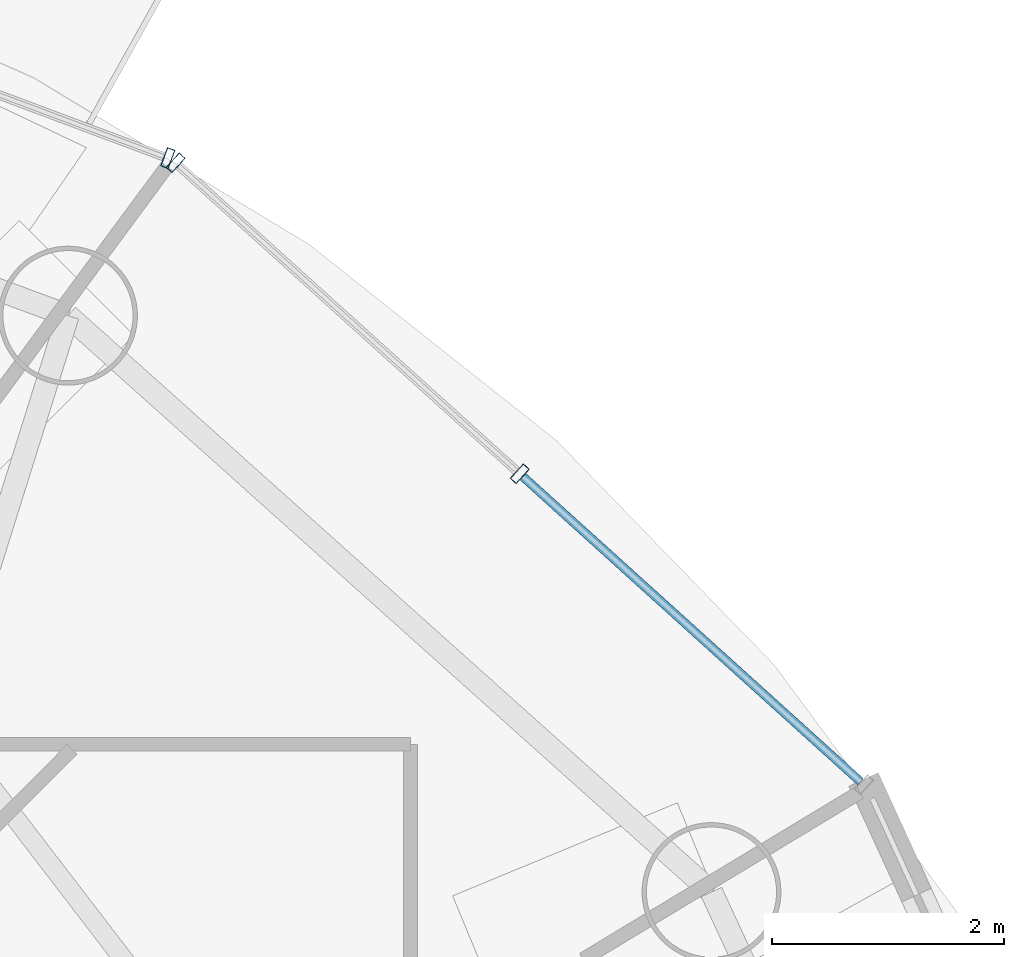
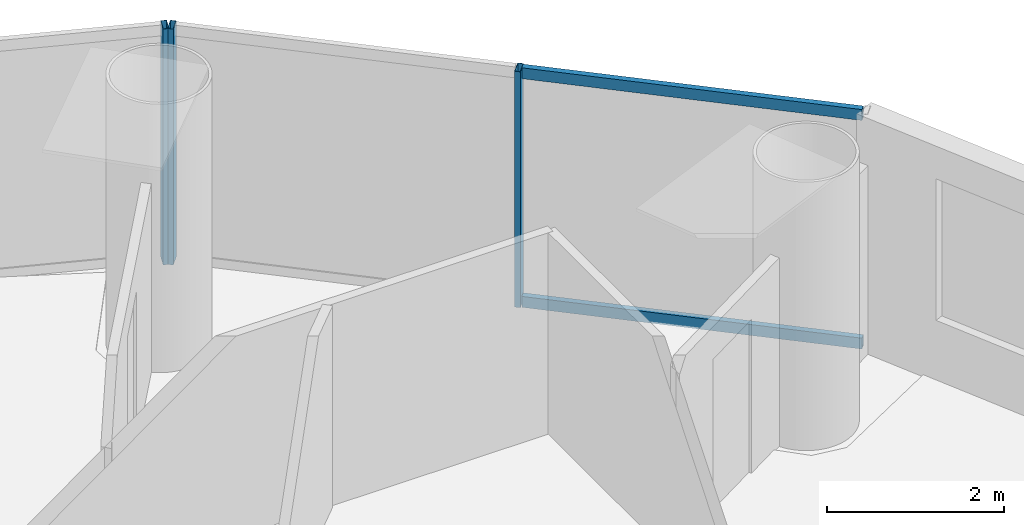
# One storey, part 18 of 26: 5 members, 2 elements without a shape of their own.
"""IFC4 building model written with IfcOpenShell, lengths in metres."""

import ifcopenshell
import ifcopenshell.guid

model = None  # the IFC model being written
_history = None  # IfcOwnerHistory: only IFC2X3 demands one
_inside = {}  # id of a spatial element -> (the spatial element, [elements in it])
_under = {}  # id of a project, library or spatial element -> (it, [spatial elements below it])
_declared = {}  # id of a project -> (the project, [libraries it declares])
_typed = {}  # id of a type object -> (the type object, [elements of that type])
_made_of = {}  # id of a material, layer set ... -> (it, [elements and type objects made of it])


def new_model(schema):
    """Start an empty IFC model of exactly this schema.

    Asked for "IFC4X3", IfcOpenShell would pick the latest addendum, in which some entities
    have other attributes; the version numbers below select the first issue.
    IFC2X3 requires an IfcOwnerHistory on every rooted entity: one is made here for all.
    """
    global model, _history
    if schema == "IFC4X3":
        model = ifcopenshell.file(schema_version=(4, 3, 0, 0))
    else:
        model = ifcopenshell.file(schema=schema)
    _inside.clear()
    _under.clear()
    _declared.clear()
    _typed.clear()
    _made_of.clear()
    _history = None
    if model.schema == "IFC2X3":
        org = make("IfcOrganization", Name="unknown")
        user = make(
            "IfcPersonAndOrganization",
            ThePerson=make("IfcPerson", FamilyName="unknown"),
            TheOrganization=org,
        )
        app = make(
            "IfcApplication",
            ApplicationDeveloper=org,
            Version="unknown",
            ApplicationFullName="unknown",
            ApplicationIdentifier="unknown",
        )
        _history = make(
            "IfcOwnerHistory",
            OwningUser=user,
            OwningApplication=app,
            ChangeAction="ADDED",
            CreationDate=0,
        )
    return model


def make(cls, **values):
    """One entity of the class cls with the attributes given. An attribute that is None is left unset."""
    return model.create_entity(
        cls, **{name: value for name, value in values.items() if value is not None}
    )


def rooted(cls, **values):
    """An entity with a GlobalId (a new one), such as an element, a storey or a relation."""
    return make(cls, GlobalId=ifcopenshell.guid.new(), OwnerHistory=_history, **values)


def si_unit(unit_type, name, prefix=None):
    """IfcSIUnit, for example si_unit("LENGTHUNIT", "METRE", prefix="MILLI")."""
    return make("IfcSIUnit", UnitType=unit_type, Prefix=prefix, Name=name)


def assignment(units):
    """IfcUnitAssignment: the units of a project."""
    return None if units is None else make("IfcUnitAssignment", Units=units)


def point(xyz):
    """IfcCartesianPoint."""
    return None if xyz is None else make("IfcCartesianPoint", Coordinates=xyz)


def direction(xyz):
    """IfcDirection."""
    return None if xyz is None else make("IfcDirection", DirectionRatios=xyz)


def frame(location, z_axis=None, x_axis=None):
    """IfcAxis2Placement3D, a coordinate frame: its origin and axes. An axis left out is left unset."""
    return make(
        "IfcAxis2Placement3D",
        Location=point(location),
        Axis=direction(z_axis),
        RefDirection=direction(x_axis),
    )


def frame_2d(location, x_axis=None):
    """IfcAxis2Placement2D, a coordinate frame in the plane: its origin and x axis."""
    return make(
        "IfcAxis2Placement2D", Location=point(location), RefDirection=direction(x_axis)
    )


def origin():
    """The frame at (0, 0, 0) with its axes left unset."""
    return frame((0.0, 0.0, 0.0))


def origin_2d():
    """The frame at (0, 0) in the plane with its x axis left unset."""
    return frame_2d((0.0, 0.0))


def place(relative_to, where):
    """IfcLocalPlacement: puts the frame where relative to a parent placement (None: the world)."""
    return make(
        "IfcLocalPlacement", PlacementRelTo=relative_to, RelativePlacement=where
    )


def context(
    kind, dimensions, precision=None, world=None, true_north=None, identifier=None
):
    """IfcGeometricRepresentationContext, for example the 3D "Model" context."""
    return make(
        "IfcGeometricRepresentationContext",
        ContextIdentifier=identifier,
        ContextType=kind,
        CoordinateSpaceDimension=dimensions,
        Precision=precision,
        WorldCoordinateSystem=world,
        TrueNorth=true_north,
    )


def subcontext(parent, identifier, kind, view, scale=None):
    """IfcGeometricRepresentationSubContext, for example "Body" below "Model"."""
    return make(
        "IfcGeometricRepresentationSubContext",
        ContextIdentifier=identifier,
        ContextType=kind,
        ParentContext=parent,
        TargetScale=scale,
        TargetView=view,
    )


def project(units=None, contexts=None):
    """IfcProject with its units and contexts."""
    return rooted(
        "IfcProject",
        Name="project",
        RepresentationContexts=contexts,
        UnitsInContext=assignment(units),
    )


def spatial(cls, under=None, at=None, **own):
    """A site, building, storey or space (cls), placed at a placement, below another one or the project."""
    s = rooted(cls, ObjectPlacement=at, **own)
    if under is not None:
        _under.setdefault(under.id(), (under, []))[1].append(s)
    return s


def profile(cls, at=None, kind="AREA", **sizes):
    """A parametric profile (cls). Its sizes go by their IFC names, for example OverallWidth=200.0."""
    return make(cls, ProfileType=kind, Position=at, **sizes)


def hollow_rectangle(**sizes):
    """IfcRectangleHollowProfileDef."""
    return profile("IfcRectangleHollowProfileDef", **sizes)


def extrude(swept, where, along, depth):
    """IfcExtrudedAreaSolid: the profile swept, set in the frame where, extruded along a direction by depth."""
    return make(
        "IfcExtrudedAreaSolid",
        SweptArea=swept,
        Position=where,
        ExtrudedDirection=direction(along),
        Depth=depth,
    )


def shape(context_of_items, identifier, shape_type, items):
    """IfcShapeRepresentation: the items that make up one representation, for example the "Body"."""
    return make(
        "IfcShapeRepresentation",
        ContextOfItems=context_of_items,
        RepresentationIdentifier=identifier,
        RepresentationType=shape_type,
        Items=items,
    )


def source(mapping_origin, context_of_items, identifier, shape_type, items):
    """IfcRepresentationMap: a shape defined once, which mapped items show again and again."""
    return make(
        "IfcRepresentationMap",
        MappingOrigin=mapping_origin,
        MappedRepresentation=shape(context_of_items, identifier, shape_type, items),
    )


def transform(
    local_origin,
    x_axis=None,
    y_axis=None,
    z_axis=None,
    scale=None,
    scale2=None,
    scale3=None,
    uniform=True,
):
    """IfcCartesianTransformationOperator3D, or its non-uniform kind. x_axis, y_axis, z_axis: its Axis1, 2, 3."""
    if uniform:
        return make(
            "IfcCartesianTransformationOperator3D",
            Axis1=direction(x_axis),
            Axis2=direction(y_axis),
            LocalOrigin=point(local_origin),
            Scale=scale,
            Axis3=direction(z_axis),
        )
    return make(
        "IfcCartesianTransformationOperator3DnonUniform",
        Axis1=direction(x_axis),
        Axis2=direction(y_axis),
        LocalOrigin=point(local_origin),
        Scale=scale,
        Axis3=direction(z_axis),
        Scale2=scale2,
        Scale3=scale3,
    )


def mapped(mapping_source, mapping_target):
    """IfcMappedItem: shows the shape of a source again, moved by a transform."""
    return make(
        "IfcMappedItem", MappingSource=mapping_source, MappingTarget=mapping_target
    )


def material(Name=None, Category=None):
    """IfcMaterial."""
    return make("IfcMaterial", Name=Name, Category=Category)


def material_profile(
    of_material, cross_section, Name=None, Category=None, Priority=None
):
    """IfcMaterialProfile: a cross section and its material."""
    return make(
        "IfcMaterialProfile",
        Name=Name,
        Material=of_material,
        Profile=cross_section,
        Priority=Priority,
        Category=Category,
    )


def profile_set(profiles, Name=None, composite=None):
    """IfcMaterialProfileSet."""
    return make(
        "IfcMaterialProfileSet",
        Name=Name,
        MaterialProfiles=profiles,
        CompositeProfile=composite,
    )


def made_of(thing, what):
    """Note that an element or type object is made of a material, layer set ...; save() writes the relation."""
    if what is not None:
        _made_of.setdefault(what.id(), (what, []))[1].append(thing)
    return thing


def type_object(cls, material=None, **own):
    """A type object (cls), such as IfcWallType, which elements share."""
    return made_of(rooted(cls, **own), material)


def element(
    cls,
    number,
    at=None,
    inside=None,
    cuts=None,
    type_object=None,
    material=None,
    context=None,
    identifier="Body",
    shape_type=None,
    held_by="IfcProductDefinitionShape",
    body=None,
    shapes=None,
    **own,
):
    """One element of the class cls, such as IfcWall. Its Tag is "e" and its number.

    at: its placement. inside: the storey or other place that contains it. cuts: it is an
    opening in that element (IfcRelVoidsElement). A single representation is given by context,
    identifier, shape_type and body (its items); several are given by shapes. held_by: the class
    of the entity that holds the representations. save() writes the other relations.
    """
    e = rooted(cls, Tag="e%d" % number, ObjectPlacement=at, **own)
    if body is not None:
        shapes = [shape(context, identifier, shape_type, body)]
    if shapes is not None:
        e.Representation = make(held_by, Representations=shapes)
    if inside is not None:
        _inside.setdefault(inside.id(), (inside, []))[1].append(e)
    if cuts is not None:
        rooted(
            "IfcRelVoidsElement", RelatingBuildingElement=cuts, RelatedOpeningElement=e
        )
    if type_object is not None:
        _typed.setdefault(type_object.id(), (type_object, []))[1].append(e)
    return made_of(e, material)


def aggregate(whole, parts):
    """IfcRelAggregates: a whole, such as a stair, and the parts it consists of."""
    return rooted("IfcRelAggregates", RelatingObject=whole, RelatedObjects=parts)


def save(model, path):
    """Write the relations noted so far, then the file.

    IfcRelAggregates (storeys below a building ...), IfcRelContainedInSpatialStructure (elements
    in a storey), IfcRelDefinesByType, IfcRelAssociatesMaterial and IfcRelDeclares: one each for
    every whole, place, type object, material and project.
    """
    for whole, parts in _under.values():
        aggregate(whole, parts)
    for where, things in _inside.values():
        rooted(
            "IfcRelContainedInSpatialStructure",
            RelatedElements=things,
            RelatingStructure=where,
        )
    for kind, things in _typed.values():
        rooted("IfcRelDefinesByType", RelatedObjects=things, RelatingType=kind)
    for what, things in _made_of.values():
        rooted("IfcRelAssociatesMaterial", RelatedObjects=things, RelatingMaterial=what)
    for by, libraries in _declared.values():
        rooted("IfcRelDeclares", RelatingContext=by, RelatedDefinitions=libraries)
    model.write(path)


model = new_model("IFC4")

# Units and contexts
model_context = context("Model", 3, precision=1e-05, world=origin(), true_north=direction((-0.2419218956, 0.970295726276)))
body_context = subcontext(model_context, "Body", "Model", "MODEL_VIEW")
ifc_project = project(units=[si_unit("LENGTHUNIT", "METRE"), si_unit("AREAUNIT", "SQUARE_METRE"), si_unit("VOLUMEUNIT", "CUBIC_METRE"), si_unit("PLANEANGLEUNIT", "RADIAN"), si_unit("MASSUNIT", "GRAM", prefix="KILO")], contexts=[model_context])

# Site, building, storey
site_placement = place(None, origin())
site = spatial("IfcSite", under=ifc_project, at=site_placement, CompositionType="ELEMENT")
building_placement = place(site_placement, origin())
building = spatial("IfcBuilding", under=site, at=building_placement, Name="Cobrevalo Terracotta Tower", CompositionType="ELEMENT")
storey_placement = place(building_placement, frame((0.0, 0.0, 239.300048828125)))
storey = spatial("IfcBuildingStorey", under=building, at=storey_placement, Name="L63", CompositionType="ELEMENT", Elevation=239.300048828125)

# Curtain wall, members
ifc_material = material(Name="Anodized aluminium", Category="aluminium")
curtain_wall_type = type_object("IfcCurtainWallType", Name="Mid-tower high-wind unitised curtain wall CW-U2", PredefinedType="NOTDEFINED", material=ifc_material)
curtain_wall_1_placement = place(storey_placement, origin())
curtain_wall_1 = element("IfcCurtainWall", 1, at=curtain_wall_1_placement, inside=storey, type_object=curtain_wall_type, Name="L63 curtain wall CW-L63-S02", PredefinedType="NOTDEFINED")
ifc_material_profile_1 = material_profile(ifc_material, hollow_rectangle(XDim=0.074951171875, YDim=0.14990234375, WallThickness=0.00439453125, at=origin_2d()), Name="CWT 75x150")
ifc_profile_set_1 = profile_set([ifc_material_profile_1], Name="Anodized aluminium")
member_type_1 = type_object("IfcMemberType", Name="Tower unitised aluminium transom 75x150", PredefinedType="USERDEFINED", material=ifc_profile_set_1)
shared_shape_1 = source(origin(), body_context, "Body", "SweptSolid", [
    extrude(hollow_rectangle(XDim=0.074951171875, YDim=0.14990234375, WallThickness=0.00439453125, at=origin_2d()), origin(), (0.0, 0.0, 1.0), 3.927490234375),
])
member_1_placement = place(storey_placement, frame((56.041748046875, 37.78173828125, 0.050048828125), z_axis=(-0.741975952623, 0.670426495396, 0.0), x_axis=(-0.670426495396, -0.741975952623, 0.0)))
member_1 = element("IfcMember", 2, at=member_1_placement, type_object=member_type_1, Name="CW-L63-S02 transom B01-T1", ObjectType="TRANSOM", PredefinedType="USERDEFINED", context=body_context, shape_type="MappedRepresentation", body=[
    mapped(shared_shape_1, transform((0.0, 0.0, 0.0), scale=1.0)),
])
member_2_placement = place(storey_placement, frame((56.041748046875, 37.78173828125, 3.199951171875), z_axis=(-0.741975952623, 0.670426495396, 0.0), x_axis=(-0.670426495396, -0.741975952623, 0.0)))
member_2 = element("IfcMember", 3, at=member_2_placement, type_object=member_type_1, Name="CW-L63-S02 transom B01-T2", ObjectType="TRANSOM", PredefinedType="USERDEFINED", context=body_context, shape_type="MappedRepresentation", body=[
    mapped(shared_shape_1, transform((0.0, 0.0, 0.0), scale=1.0)),
])
ifc_material_profile_2 = material_profile(ifc_material, hollow_rectangle(XDim=0.070068359375, YDim=0.169921875, WallThickness=0.00439453125, at=origin_2d()), Name="CWM 70x170")
ifc_profile_set_2 = profile_set([ifc_material_profile_2], Name="Anodized aluminium")
member_type_2 = type_object("IfcMemberType", Name="Upper tower unitised mullion 70x170", PredefinedType="MULLION", material=ifc_profile_set_2)
shared_shape_2 = source(origin(), body_context, "Body", "SweptSolid", [
    extrude(hollow_rectangle(XDim=0.070068359375, YDim=0.169921875, WallThickness=0.00439453125, at=origin_2d()), origin(), (0.0, 0.0, 1.0), 3.25),
])
member_3_placement = place(storey_placement, frame((53.097900390625, 40.441650390625, 0.0), z_axis=(0.0, 0.0, 1.0), x_axis=(-0.741987542015, 0.670413668935, 0.0)))
member_3 = element("IfcMember", 4, at=member_3_placement, type_object=member_type_2, Name="CW-L63-S02 vertical mullion 02", PredefinedType="MULLION", context=body_context, shape_type="MappedRepresentation", body=[
    mapped(shared_shape_2, transform((0.0, 0.0, 0.0), scale=1.0)),
])
member_4_placement = place(storey_placement, frame((50.12451171875, 43.128173828125, 0.0), z_axis=(0.0, 0.0, 1.0), x_axis=(-0.741987542015, 0.670413668935, 0.0)))
member_4 = element("IfcMember", 5, at=member_4_placement, type_object=member_type_2, Name="CW-L63-S02 vertical mullion 03", PredefinedType="MULLION", context=body_context, shape_type="MappedRepresentation", body=[
    mapped(shared_shape_2, transform((0.0, 0.0, 0.0), scale=1.0)),
])
aggregate(curtain_wall_1, [member_3, member_4, member_1, member_2])

# Curtain wall, member
curtain_wall_2_placement = place(storey_placement, origin())
curtain_wall_2 = element("IfcCurtainWall", 6, at=curtain_wall_2_placement, inside=storey, type_object=curtain_wall_type, Name="L63 curtain wall CW-L63-S03", PredefinedType="NOTDEFINED")
member_5_placement = place(storey_placement, frame((50.057373046875, 43.1689453125, 0.0), z_axis=(0.0, 0.0, 1.0), x_axis=(-0.936556004584, 0.350517974259, 0.0)))
member_5 = element("IfcMember", 7, at=member_5_placement, type_object=member_type_2, Name="CW-L63-S03 vertical mullion 01", PredefinedType="MULLION", context=body_context, shape_type="MappedRepresentation", body=[
    mapped(shared_shape_2, transform((0.0, 0.0, 0.0), scale=1.0)),
])
aggregate(curtain_wall_2, [member_5])

save(model, "model.ifc")
